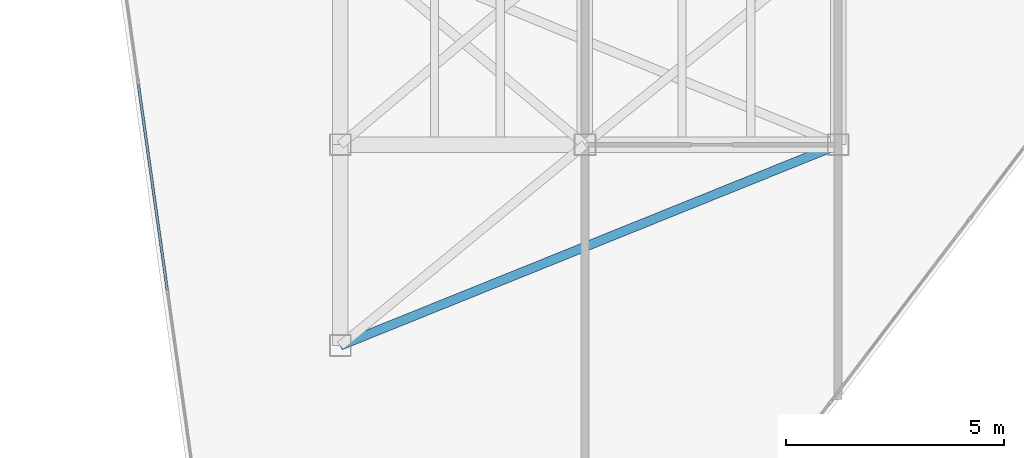
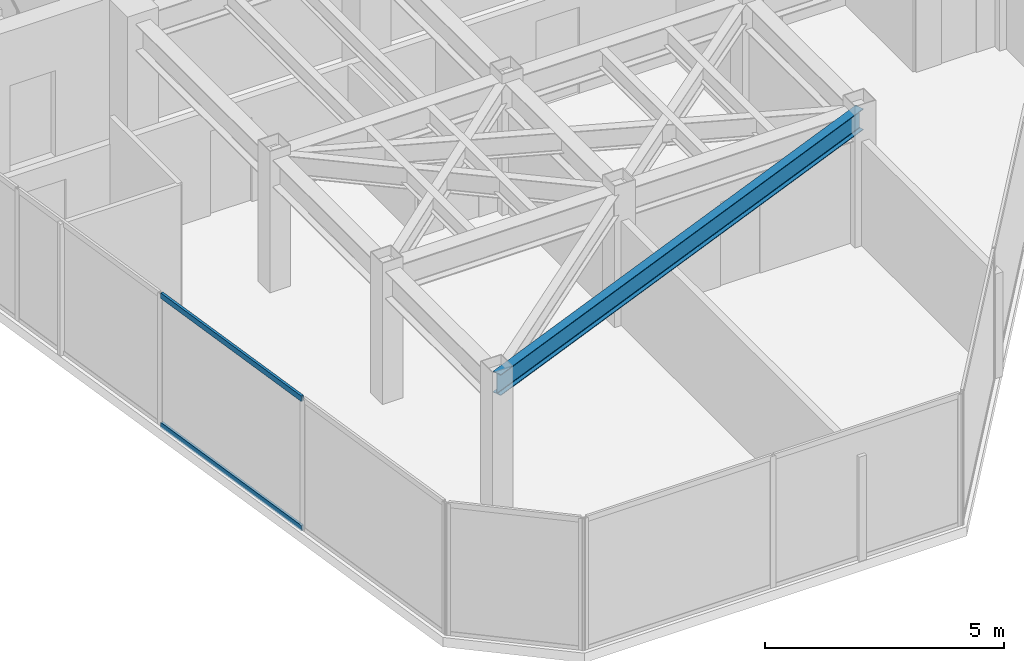
# One storey, part 4 of 20: 2 members, 1 beam, 1 element without a shape of its own.
"""IFC4 building model written with IfcOpenShell, lengths in metres."""

import ifcopenshell
import ifcopenshell.guid

model = None  # the IFC model being written
_history = None  # IfcOwnerHistory: only IFC2X3 demands one
_inside = {}  # id of a spatial element -> (the spatial element, [elements in it])
_under = {}  # id of a project, library or spatial element -> (it, [spatial elements below it])
_declared = {}  # id of a project -> (the project, [libraries it declares])
_typed = {}  # id of a type object -> (the type object, [elements of that type])
_made_of = {}  # id of a material, layer set ... -> (it, [elements and type objects made of it])


def new_model(schema):
    """Start an empty IFC model of exactly this schema.

    Asked for "IFC4X3", IfcOpenShell would pick the latest addendum, in which some entities
    have other attributes; the version numbers below select the first issue.
    IFC2X3 requires an IfcOwnerHistory on every rooted entity: one is made here for all.
    """
    global model, _history
    if schema == "IFC4X3":
        model = ifcopenshell.file(schema_version=(4, 3, 0, 0))
    else:
        model = ifcopenshell.file(schema=schema)
    _inside.clear()
    _under.clear()
    _declared.clear()
    _typed.clear()
    _made_of.clear()
    _history = None
    if model.schema == "IFC2X3":
        org = make("IfcOrganization", Name="unknown")
        user = make(
            "IfcPersonAndOrganization",
            ThePerson=make("IfcPerson", FamilyName="unknown"),
            TheOrganization=org,
        )
        app = make(
            "IfcApplication",
            ApplicationDeveloper=org,
            Version="unknown",
            ApplicationFullName="unknown",
            ApplicationIdentifier="unknown",
        )
        _history = make(
            "IfcOwnerHistory",
            OwningUser=user,
            OwningApplication=app,
            ChangeAction="ADDED",
            CreationDate=0,
        )
    return model


def make(cls, **values):
    """One entity of the class cls with the attributes given. An attribute that is None is left unset."""
    return model.create_entity(
        cls, **{name: value for name, value in values.items() if value is not None}
    )


def rooted(cls, **values):
    """An entity with a GlobalId (a new one), such as an element, a storey or a relation."""
    return make(cls, GlobalId=ifcopenshell.guid.new(), OwnerHistory=_history, **values)


def si_unit(unit_type, name, prefix=None):
    """IfcSIUnit, for example si_unit("LENGTHUNIT", "METRE", prefix="MILLI")."""
    return make("IfcSIUnit", UnitType=unit_type, Prefix=prefix, Name=name)


def assignment(units):
    """IfcUnitAssignment: the units of a project."""
    return None if units is None else make("IfcUnitAssignment", Units=units)


def point(xyz):
    """IfcCartesianPoint."""
    return None if xyz is None else make("IfcCartesianPoint", Coordinates=xyz)


def direction(xyz):
    """IfcDirection."""
    return None if xyz is None else make("IfcDirection", DirectionRatios=xyz)


def frame(location, z_axis=None, x_axis=None):
    """IfcAxis2Placement3D, a coordinate frame: its origin and axes. An axis left out is left unset."""
    return make(
        "IfcAxis2Placement3D",
        Location=point(location),
        Axis=direction(z_axis),
        RefDirection=direction(x_axis),
    )


def frame_2d(location, x_axis=None):
    """IfcAxis2Placement2D, a coordinate frame in the plane: its origin and x axis."""
    return make(
        "IfcAxis2Placement2D", Location=point(location), RefDirection=direction(x_axis)
    )


def origin():
    """The frame at (0, 0, 0) with its axes left unset."""
    return frame((0.0, 0.0, 0.0))


def origin_2d():
    """The frame at (0, 0) in the plane with its x axis left unset."""
    return frame_2d((0.0, 0.0))


def place(relative_to, where):
    """IfcLocalPlacement: puts the frame where relative to a parent placement (None: the world)."""
    return make(
        "IfcLocalPlacement", PlacementRelTo=relative_to, RelativePlacement=where
    )


def context(
    kind, dimensions, precision=None, world=None, true_north=None, identifier=None
):
    """IfcGeometricRepresentationContext, for example the 3D "Model" context."""
    return make(
        "IfcGeometricRepresentationContext",
        ContextIdentifier=identifier,
        ContextType=kind,
        CoordinateSpaceDimension=dimensions,
        Precision=precision,
        WorldCoordinateSystem=world,
        TrueNorth=true_north,
    )


def subcontext(parent, identifier, kind, view, scale=None):
    """IfcGeometricRepresentationSubContext, for example "Body" below "Model"."""
    return make(
        "IfcGeometricRepresentationSubContext",
        ContextIdentifier=identifier,
        ContextType=kind,
        ParentContext=parent,
        TargetScale=scale,
        TargetView=view,
    )


def project(units=None, contexts=None):
    """IfcProject with its units and contexts."""
    return rooted(
        "IfcProject",
        Name="project",
        RepresentationContexts=contexts,
        UnitsInContext=assignment(units),
    )


def spatial(cls, under=None, at=None, **own):
    """A site, building, storey or space (cls), placed at a placement, below another one or the project."""
    s = rooted(cls, ObjectPlacement=at, **own)
    if under is not None:
        _under.setdefault(under.id(), (under, []))[1].append(s)
    return s


def profile(cls, at=None, kind="AREA", **sizes):
    """A parametric profile (cls). Its sizes go by their IFC names, for example OverallWidth=200.0."""
    return make(cls, ProfileType=kind, Position=at, **sizes)


def hollow_rectangle(**sizes):
    """IfcRectangleHollowProfileDef."""
    return profile("IfcRectangleHollowProfileDef", **sizes)


def i_section(**sizes):
    """IfcIShapeProfileDef."""
    return profile("IfcIShapeProfileDef", **sizes)


def extrude(swept, where, along, depth):
    """IfcExtrudedAreaSolid: the profile swept, set in the frame where, extruded along a direction by depth."""
    return make(
        "IfcExtrudedAreaSolid",
        SweptArea=swept,
        Position=where,
        ExtrudedDirection=direction(along),
        Depth=depth,
    )


def shape(context_of_items, identifier, shape_type, items):
    """IfcShapeRepresentation: the items that make up one representation, for example the "Body"."""
    return make(
        "IfcShapeRepresentation",
        ContextOfItems=context_of_items,
        RepresentationIdentifier=identifier,
        RepresentationType=shape_type,
        Items=items,
    )


def material(Name=None, Category=None):
    """IfcMaterial."""
    return make("IfcMaterial", Name=Name, Category=Category)


def layer(
    of_material, thickness, ventilated=None, Name=None, Category=None, Priority=None
):
    """IfcMaterialLayer: one layer of a wall or slab, of a material (None: an air gap)."""
    return make(
        "IfcMaterialLayer",
        Material=of_material,
        LayerThickness=thickness,
        IsVentilated=ventilated,
        Name=Name,
        Category=Category,
        Priority=Priority,
    )


def layer_set(layers, Name=None):
    """IfcMaterialLayerSet."""
    return make("IfcMaterialLayerSet", MaterialLayers=layers, LayerSetName=Name)


def material_profile(
    of_material, cross_section, Name=None, Category=None, Priority=None
):
    """IfcMaterialProfile: a cross section and its material."""
    return make(
        "IfcMaterialProfile",
        Name=Name,
        Material=of_material,
        Profile=cross_section,
        Priority=Priority,
        Category=Category,
    )


def profile_set(profiles, Name=None, composite=None):
    """IfcMaterialProfileSet."""
    return make(
        "IfcMaterialProfileSet",
        Name=Name,
        MaterialProfiles=profiles,
        CompositeProfile=composite,
    )


def made_of(thing, what):
    """Note that an element or type object is made of a material, layer set ...; save() writes the relation."""
    if what is not None:
        _made_of.setdefault(what.id(), (what, []))[1].append(thing)
    return thing


def type_object(cls, material=None, **own):
    """A type object (cls), such as IfcWallType, which elements share."""
    return made_of(rooted(cls, **own), material)


def element(
    cls,
    number,
    at=None,
    inside=None,
    cuts=None,
    type_object=None,
    material=None,
    context=None,
    identifier="Body",
    shape_type=None,
    held_by="IfcProductDefinitionShape",
    body=None,
    shapes=None,
    **own,
):
    """One element of the class cls, such as IfcWall. Its Tag is "e" and its number.

    at: its placement. inside: the storey or other place that contains it. cuts: it is an
    opening in that element (IfcRelVoidsElement). A single representation is given by context,
    identifier, shape_type and body (its items); several are given by shapes. held_by: the class
    of the entity that holds the representations. save() writes the other relations.
    """
    e = rooted(cls, Tag="e%d" % number, ObjectPlacement=at, **own)
    if body is not None:
        shapes = [shape(context, identifier, shape_type, body)]
    if shapes is not None:
        e.Representation = make(held_by, Representations=shapes)
    if inside is not None:
        _inside.setdefault(inside.id(), (inside, []))[1].append(e)
    if cuts is not None:
        rooted(
            "IfcRelVoidsElement", RelatingBuildingElement=cuts, RelatedOpeningElement=e
        )
    if type_object is not None:
        _typed.setdefault(type_object.id(), (type_object, []))[1].append(e)
    return made_of(e, material)


def aggregate(whole, parts):
    """IfcRelAggregates: a whole, such as a stair, and the parts it consists of."""
    return rooted("IfcRelAggregates", RelatingObject=whole, RelatedObjects=parts)


def save(model, path):
    """Write the relations noted so far, then the file.

    IfcRelAggregates (storeys below a building ...), IfcRelContainedInSpatialStructure (elements
    in a storey), IfcRelDefinesByType, IfcRelAssociatesMaterial and IfcRelDeclares: one each for
    every whole, place, type object, material and project.
    """
    for whole, parts in _under.values():
        aggregate(whole, parts)
    for where, things in _inside.values():
        rooted(
            "IfcRelContainedInSpatialStructure",
            RelatedElements=things,
            RelatingStructure=where,
        )
    for kind, things in _typed.values():
        rooted("IfcRelDefinesByType", RelatedObjects=things, RelatingType=kind)
    for what, things in _made_of.values():
        rooted("IfcRelAssociatesMaterial", RelatedObjects=things, RelatingMaterial=what)
    for by, libraries in _declared.values():
        rooted("IfcRelDeclares", RelatingContext=by, RelatedDefinitions=libraries)
    model.write(path)


model = new_model("IFC4")

# Units and contexts
model_context = context("Model", 3, precision=1e-05, world=origin(), true_north=direction((0.0, 1.0)))
body_context = subcontext(model_context, "Body", "Model", "MODEL_VIEW")
ifc_project = project(units=[si_unit("LENGTHUNIT", "METRE"), si_unit("AREAUNIT", "SQUARE_METRE"), si_unit("VOLUMEUNIT", "CUBIC_METRE"), si_unit("PLANEANGLEUNIT", "RADIAN"), si_unit("MASSUNIT", "GRAM", prefix="KILO")], contexts=[model_context])

# Site, building, storey
site_placement = place(None, origin())
site = spatial("IfcSite", under=ifc_project, at=site_placement, CompositionType="ELEMENT")
building_placement = place(site_placement, origin())
building = spatial("IfcBuilding", under=site, at=building_placement, Name="Kravanh Interchange Tower", CompositionType="ELEMENT")
storey_placement = place(building_placement, frame((0.0, 0.0, 234.60009765625)))
storey = spatial("IfcBuildingStorey", under=building, at=storey_placement, Name="L56", CompositionType="ELEMENT", Elevation=234.60009765625)

# Curtain wall, members
ifc_material_1 = material(Name="Anodised Bronze Aluminium", Category="aluminium")
ifc_layer = layer(ifc_material_1, 0.179931640625)
ifc_layer_set = layer_set([ifc_layer], Name="Unitised Curtain Wall System CW-HTL Luxury Hotel")
curtain_wall_type = type_object("IfcCurtainWallType", Name="Unitised Curtain Wall System CW-HTL Luxury Hotel", PredefinedType="NOTDEFINED", material=ifc_layer_set)
curtain_wall_placement = place(storey_placement, origin())
curtain_wall = element("IfcCurtainWall", 1, at=curtain_wall_placement, inside=storey, type_object=curtain_wall_type, Name="L56 Unitised Curtain Wall CW-L56-01", PredefinedType="NOTDEFINED")
ifc_material_2 = material(Name="Anodised Bronze Aluminium", Category="aluminium")
ifc_material_profile_1 = material_profile(ifc_material_2, hollow_rectangle(XDim=0.06005859375, YDim=0.139892578125, WallThickness=0.00390625, at=origin_2d()), Name="ALU60X140X4")
ifc_profile_set_1 = profile_set([ifc_material_profile_1], Name="Anodised Bronze Aluminium")
member_type = type_object("IfcMemberType", Name="Curtain Wall Transom ALU60X140X4 Bronze", PredefinedType="USERDEFINED", material=ifc_profile_set_1)
member_1_placement = place(storey_placement, frame((23.240234375, 23.4609375, 0.02978515625), z_axis=(-0.139174169915, 0.990267918509, 0.0), x_axis=(-0.990267918509, -0.139174169915, 0.0)))
member_1 = element("IfcMember", 2, at=member_1_placement, type_object=member_type, Name="CW-HTL transom 2.1", ObjectType="TRANSOM", PredefinedType="USERDEFINED", context=body_context, shape_type="SweptSolid", body=[
    extrude(hollow_rectangle(XDim=0.06005859375, YDim=0.139892578125, WallThickness=0.00390625, at=origin_2d()), origin(), (0.0, 0.0, 1.0), 4.776611328125),
])
member_2_placement = place(storey_placement, frame((23.240234375, 23.4609375, 3.329833984375), z_axis=(-0.139174169915, 0.990267918509, 0.0), x_axis=(-0.990267918509, -0.139174169915, 0.0)))
member_2 = element("IfcMember", 3, at=member_2_placement, type_object=member_type, Name="CW-HTL transom 2.2", ObjectType="TRANSOM", PredefinedType="USERDEFINED", context=body_context, shape_type="SweptSolid", body=[
    extrude(hollow_rectangle(XDim=0.06005859375, YDim=0.139892578125, WallThickness=0.00390625, at=origin_2d()), origin(), (0.0, 0.0, 1.0), 4.776611328125),
])
aggregate(curtain_wall, [member_1, member_2])

# Beam
ifc_material_3 = material(Name="Structural Steel S355", Category="steel")
ifc_material_profile_2 = material_profile(ifc_material_3, i_section(OverallWidth=0.2099609375, OverallDepth=0.537109375, WebThickness=0.010986328125, FlangeThickness=0.017333984375, FilletRadius=0.02001953125, at=origin_2d()), Name="W21X68")
ifc_profile_set_2 = profile_set([ifc_material_profile_2], Name="Structural Steel S355")
beam_type = type_object("IfcBeamType", Name="Floor Spandrel W21X68 Structural Steel S355", PredefinedType="SPANDREL", material=ifc_profile_set_2)
beam_placement = place(storey_placement, frame((38.60009765625, 26.800048828125, 3.09130859375), z_axis=(-0.927349344428, -0.374196730864, 0.0), x_axis=(0.374196730864, -0.927349344428, 0.0)))
element("IfcBeam", 4, at=beam_placement, inside=storey, type_object=beam_type, Name="L56 Perimeter Spandrel 30", PredefinedType="SPANDREL", context=body_context, shape_type="SweptSolid", body=[
    extrude(i_section(OverallWidth=0.2099609375, OverallDepth=0.537109375, WebThickness=0.010986328125, FlangeThickness=0.017333984375, FilletRadius=0.02001953125, at=origin_2d()), origin(), (0.0, 0.0, 1.0), 12.293212890625),
])

save(model, "model.ifc")
